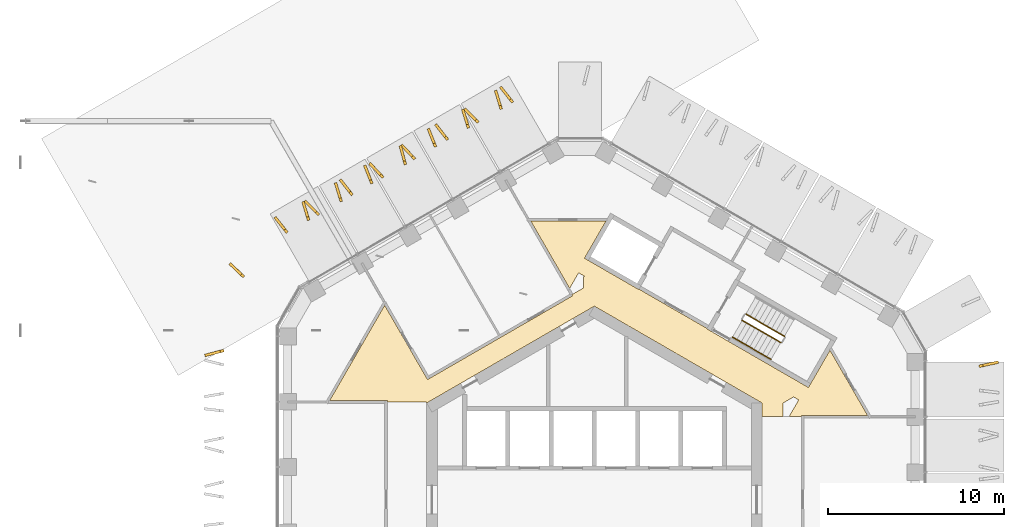
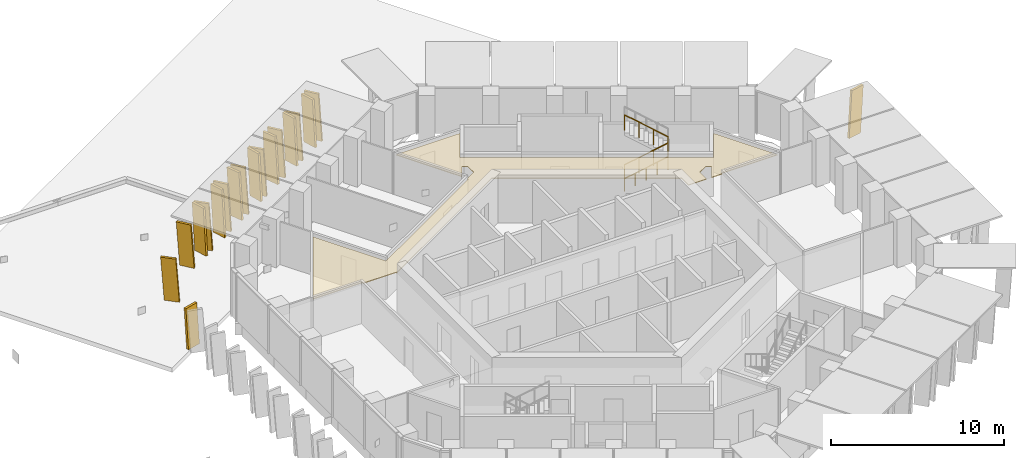
# One storey, part 22 of 23: 18 shading devices, 4 railings, 1 covering.
"""IFC4 building model written with IfcOpenShell, lengths in metres."""

from ifc_helpers import new_model, si_unit, direction, frame, origin, origin_2d, place, context, subcontext, project, spatial, polyline, circle, outline, extrude, material, layer, layer_set, type_object, element, save


model = new_model("IFC4")

# Units and contexts
model_context = context("Model", 3, precision=1e-05, world=origin(), true_north=direction((0.0, 1.0)))
body_context = subcontext(model_context, "Body", "Model", "MODEL_VIEW")
ifc_project = project(units=[si_unit("LENGTHUNIT", "METRE"), si_unit("AREAUNIT", "SQUARE_METRE"), si_unit("VOLUMEUNIT", "CUBIC_METRE"), si_unit("PLANEANGLEUNIT", "RADIAN"), si_unit("MASSUNIT", "GRAM", prefix="KILO")], contexts=[model_context])

# Site, building, storey
site_placement = place(None, origin())
site = spatial("IfcSite", under=ifc_project, at=site_placement, CompositionType="ELEMENT")
building_placement = place(site_placement, origin())
building = spatial("IfcBuilding", under=site, at=building_placement, Name="Ayvan Gate Tower", CompositionType="ELEMENT")
storey_placement = place(building_placement, frame((0.0, 0.0, 198.699951171875)))
storey = spatial("IfcBuildingStorey", under=building, at=storey_placement, Name="L53", CompositionType="ELEMENT", Elevation=198.699951171875)

# Shading devices
ifc_material_1 = material(Name="Bronze anodised aluminium", Category="aluminium")
ifc_layer_1 = layer(ifc_material_1, 0.14990234375)
ifc_layer_set_1 = layer_set([ifc_layer_1], Name="Bronze anodised aluminium")
shading_device_type = type_object("IfcShadingDeviceType", Name="Bronze fin 900 x 150", PredefinedType="USERDEFINED", material=ifc_layer_set_1)
shading_device_1_placement = place(storey_placement, frame((-4.56689453125, 22.564453125, 0.0), z_axis=(0.784507567898, 0.620119052633, 0.000486283794), x_axis=(-0.620119125954, 0.784507660655, 0.0)))
element("IfcShadingDevice", 1, at=shading_device_1_placement, inside=storey, type_object=shading_device_type, Name="Bronze fin FG19.1.1", ObjectType="FIN", PredefinedType="USERDEFINED", context=body_context, shape_type="SweptSolid", body=[
    extrude(outline(polyline([(0.0, 0.0), (0.8999971866563694, 0.0), (1.1141203897903091, 3.2800296846924963), (0.21412320313393968, 3.2800296846924963), (0.0, 0.0)])), origin(), (0.0, 0.0, -1.0), 0.14990234375),
])
shading_device_2_placement = place(storey_placement, frame((-5.201171875, 22.149658203125, 0.0), z_axis=(0.957564483495, 0.28821877159, 0.000446824592), x_axis=(-0.288218800387, 0.957564579077, 5.803e-08)))
element("IfcShadingDevice", 2, at=shading_device_2_placement, inside=storey, type_object=shading_device_type, Name="Bronze fin FG19.1.2", ObjectType="FIN", PredefinedType="USERDEFINED", context=body_context, shape_type="SweptSolid", body=[
    extrude(outline(polyline([(0.0, 0.0), (0.9000438351939035, 4.0657581468206416e-20), (1.1141064200078024, 3.2800295596561715), (0.21413295073196212, 3.2800296641109266), (0.0, 0.0)])), origin(), (0.0, 0.0, -1.0), 0.14990234375),
])
shading_device_3_placement = place(storey_placement, frame((-6.51416015625, 21.426513671875, 0.0), z_axis=(0.707174520151, 0.707038890209, 0.000453630924), x_axis=(-0.707038962942, 0.707174592927, -4.3514e-08)))
element("IfcShadingDevice", 3, at=shading_device_3_placement, inside=storey, type_object=shading_device_type, Name="Bronze fin FG19.1.3", ObjectType="FIN", PredefinedType="USERDEFINED", context=body_context, shape_type="SweptSolid", body=[
    extrude(outline(polyline([(0.0, 0.0), (0.8999384036104335, -2.710505431213761e-20), (1.1141762738435197, 3.28002968284093), (0.21406525329877404, 3.2800296045140183), (0.0, 0.0)])), origin(), (0.0, 0.0, -1.0), 0.14990234375),
])
shading_device_4_placement = place(storey_placement, frame((-7.056396484375, 21.080322265625, 0.0), z_axis=(0.95595467753, 0.293513893612, 0.000498764862), x_axis=(-0.29351393012, 0.955954796434, 0.0)))
element("IfcShadingDevice", 4, at=shading_device_4_placement, inside=storey, type_object=shading_device_type, Name="Bronze fin FG19.1.4", ObjectType="FIN", PredefinedType="USERDEFINED", context=body_context, shape_type="SweptSolid", body=[
    extrude(outline(polyline([(0.0, 0.0), (0.8999918884335657, 0.0), (1.1142550334938892, 3.2800297048555955), (0.2142631450603236, 3.2800297048555955), (0.0, 0.0)])), origin(), (0.0, 0.0, -1.0), 0.14990234375),
])
shading_device_5_placement = place(storey_placement, frame((-8.248046875, 20.439453125, 0.0), z_axis=(0.787728105905, 0.616022909267, 0.000454341574), x_axis=(-0.616022972848, 0.787728187209, 0.0)))
element("IfcShadingDevice", 5, at=shading_device_5_placement, inside=storey, type_object=shading_device_type, Name="Bronze fin FG19.1.5", ObjectType="FIN", PredefinedType="USERDEFINED", context=body_context, shape_type="SweptSolid", body=[
    extrude(outline(polyline([(0.0, 0.0), (0.9000368229962461, 5.421010862427522e-20), (1.1141241728045264, 3.280029635417153), (0.21408734980828031, 3.280029635417153), (0.0, 0.0)])), origin(), (0.0, 0.0, -1.0), 0.14990234375),
])
shading_device_6_placement = place(storey_placement, frame((-8.9248046875, 20.02294921875, 0.0), z_axis=(0.929937959795, 0.367716133169, 0.000486148383), x_axis=(-0.367716176649, 0.929938069675, 6.1317e-08)))
element("IfcShadingDevice", 6, at=shading_device_6_placement, inside=storey, type_object=shading_device_type, Name="Bronze fin FG19.1.6", ObjectType="FIN", PredefinedType="USERDEFINED", context=body_context, shape_type="SweptSolid", body=[
    extrude(outline(polyline([(0.0, 0.0), (0.9000124117142394, 2.710505431213761e-20), (1.114038627629046, 3.280029616166486), (0.2141159903719963, 3.280029726534001), (0.0, 0.0)])), origin(), (0.0, 0.0, -1.0), 0.14990234375),
])
shading_device_7_placement = place(storey_placement, frame((-10.114013671875, 19.353271484375, 0.0), z_axis=(0.729067431821, 0.684441722971, 0.000455755959), x_axis=(-0.684441794069, 0.729067507527, 4.2316e-08)))
element("IfcShadingDevice", 7, at=shading_device_7_placement, inside=storey, type_object=shading_device_type, Name="Bronze fin FG19.1.7", ObjectType="FIN", PredefinedType="USERDEFINED", context=body_context, shape_type="SweptSolid", body=[
    extrude(outline(polyline([(0.0, 0.0), (0.899865976357688, 2.710505431213761e-20), (1.1141664618825216, 3.2800295903815417), (0.21412249052787863, 3.2800296665459157), (0.0, 0.0)])), origin(), (0.0, 0.0, -1.0), 0.14990234375),
])
shading_device_8_placement = place(storey_placement, frame((-10.63134765625, 19.004638671875, 0.0), z_axis=(0.965937054457, 0.25877673405, 0.000456882522), x_axis=(-0.258776761059, 0.965937155273, 0.0)))
element("IfcShadingDevice", 8, at=shading_device_8_placement, inside=storey, type_object=shading_device_type, Name="Bronze fin FG19.1.8", ObjectType="FIN", PredefinedType="USERDEFINED", context=body_context, shape_type="SweptSolid", body=[
    extrude(outline(polyline([(0.0, 0.0), (0.9000427831971298, 0.0), (1.1142707662750664, 3.280029639214399), (0.21422798307793675, 3.280029639214399), (0.0, 0.0)])), origin(), (0.0, 0.0, -1.0), 0.14990234375),
])
shading_device_9_placement = place(storey_placement, frame((-11.917236328125, 18.312255859375, 0.0), z_axis=(0.729067448779, 0.684441738891, 0.000401489691), x_axis=(-0.684441794066, 0.72906750753, 3.7277e-08)))
element("IfcShadingDevice", 9, at=shading_device_9_placement, inside=storey, type_object=shading_device_type, Name="Bronze fin FG19.1.9", ObjectType="FIN", PredefinedType="USERDEFINED", context=body_context, shape_type="SweptSolid", body=[
    extrude(outline(polyline([(0.0, 0.0), (0.8998659763576876, 2.710505431213761e-20), (1.1139993453088102, 3.2800295197087466), (0.21395537395416694, 3.280029586804328), (0.0, 0.0)])), origin(), (0.0, 0.0, -1.0), 0.14990234375),
])
shading_device_10_placement = place(storey_placement, frame((-12.53076171875, 17.94091796875, 0.0), z_axis=(0.929891602113, 0.367833434208, 0.000415930781), x_axis=(-0.367833466025, 0.929891682548, 0.0)))
element("IfcShadingDevice", 10, at=shading_device_10_placement, inside=storey, type_object=shading_device_type, Name="Bronze fin FG19.1.10", ObjectType="FIN", PredefinedType="USERDEFINED", context=body_context, shape_type="SweptSolid", body=[
    extrude(outline(polyline([(0.0, 0.0), (0.9000124188731935, 0.0), (1.1142656431042266, 3.280029580594972), (0.21425322423103305, 3.280029580594972), (0.0, 0.0)])), origin(), (0.0, 0.0, -1.0), 0.14990234375),
])
shading_device_11_placement = place(storey_placement, frame((-13.656494140625, 17.31689453125, 0.0), z_axis=(0.787859734279, 0.615854544357, 0.000468290525), x_axis=(-0.615854611885, 0.787859820666, 0.0)))
element("IfcShadingDevice", 11, at=shading_device_11_placement, inside=storey, type_object=shading_device_type, Name="Bronze fin FG19.1.11", ObjectType="FIN", PredefinedType="USERDEFINED", context=body_context, shape_type="SweptSolid", body=[
    extrude(outline(polyline([(0.0, 0.0), (0.899886447312799, 0.0), (1.113973473747104, 3.2800296565237383), (0.21408702643430502, 3.2800296565237383), (0.0, 0.0)])), origin(), (0.0, 0.0, -1.0), 0.14990234375),
])
shading_device_12_placement = place(storey_placement, frame((-14.267333984375, 16.917236328125, 0.0), z_axis=(0.955954699877, 0.293513900473, 0.00044945778), x_axis=(-0.29351393012, 0.955954796434, 0.0)))
element("IfcShadingDevice", 12, at=shading_device_12_placement, inside=storey, type_object=shading_device_type, Name="Bronze fin FG19.1.12", ObjectType="FIN", PredefinedType="USERDEFINED", context=body_context, shape_type="SweptSolid", body=[
    extrude(outline(polyline([(0.0, 0.0), (0.8999918884335657, 1.3552527156068805e-20), (1.1139499874180705, 3.2800296281781747), (0.21395809898450474, 3.2800296281781747), (0.0, 0.0)])), origin(), (0.0, 0.0, -1.0), 0.14990234375),
])
shading_device_13_placement = place(storey_placement, frame((-15.5595703125, 16.204345703125, 0.0), z_axis=(0.707174520151, 0.707038890209, 0.000453630924), x_axis=(-0.707038962942, 0.707174592927, -4.3514e-08)))
element("IfcShadingDevice", 13, at=shading_device_13_placement, inside=storey, type_object=shading_device_type, Name="Bronze fin FG19.1.13", ObjectType="FIN", PredefinedType="USERDEFINED", context=body_context, shape_type="SweptSolid", body=[
    extrude(outline(polyline([(0.0, 0.0), (0.8999384036104335, -2.710505431213761e-20), (1.1141762738435197, 3.28002968284093), (0.21406525329877404, 3.2800296045140183), (0.0, 0.0)])), origin(), (0.0, 0.0, -1.0), 0.14990234375),
])
shading_device_14_placement = place(storey_placement, frame((-16.11328125, 15.849853515625, 0.0), z_axis=(0.957564483495, 0.28821877159, 0.000446824592), x_axis=(-0.288218800337, 0.957564579092, -5.8034e-08)))
element("IfcShadingDevice", 14, at=shading_device_14_placement, inside=storey, type_object=shading_device_type, Name="Bronze fin FG19.1.14", ObjectType="FIN", PredefinedType="USERDEFINED", context=body_context, shape_type="SweptSolid", body=[
    extrude(outline(polyline([(0.0, 0.0), (0.8999734692758463, -1.3552527156068805e-20), (1.11410603931359, 3.280029688964087), (0.21406220411969257, 3.280029584501165), (0.0, 0.0)])), origin(), (0.0, 0.0, -1.0), 0.14990234375),
])
shading_device_15_placement = place(storey_placement, frame((-17.345458984375, 15.186767578125, 0.0), z_axis=(0.784507574804, 0.620119058092, 0.000467831645), x_axis=(-0.620119125954, 0.784507660655, 0.0)))
element("IfcShadingDevice", 15, at=shading_device_15_placement, inside=storey, type_object=shading_device_type, Name="Bronze fin FG19.1.15", ObjectType="FIN", PredefinedType="USERDEFINED", context=body_context, shape_type="SweptSolid", body=[
    extrude(outline(polyline([(0.0, 0.0), (0.8999971866563694, 0.0), (1.1139689935193244, 3.000000328299727), (0.21397180686295492, 3.000000328299727), (0.0, 0.0)])), origin(), (0.0, 0.0, -1.0), 0.14990234375),
])
shading_device_16_placement = place(storey_placement, frame((-19.8017578125, 12.678466796875, 0.0), z_axis=(0.690088468237, 0.72372485584, 0.000488923571), x_axis=(-0.723724942342, 0.690088550718, 0.0)))
element("IfcShadingDevice", 16, at=shading_device_16_placement, inside=storey, type_object=shading_device_type, Name="Bronze fin FG19.2.16", ObjectType="FIN", PredefinedType="USERDEFINED", context=body_context, shape_type="SweptSolid", body=[
    extrude(outline(polyline([(0.0, 0.0), (0.9000203660144157, 0.0), (1.1141813662922604, 3.0000003585694524), (0.21416100027784465, 3.0000003585694524), (0.0, 0.0)])), origin(), (0.0, 0.0, -1.0), 0.14990234375),
])
shading_device_17_placement = place(storey_placement, frame((-21.010498046875, 8.532958984375, 0.0), z_axis=(-0.256041619413, 0.966665605496, 0.000544315173), x_axis=(-0.966665748698, -0.256041657343, 0.0)))
element("IfcShadingDevice", 17, at=shading_device_17_placement, inside=storey, type_object=shading_device_type, Name="Bronze fin FG19.3.17", ObjectType="FIN", PredefinedType="USERDEFINED", context=body_context, shape_type="SweptSolid", body=[
    extrude(outline(polyline([(0.0, 0.0), (0.9001220832250882, -2.710505431213761e-20), (1.114219946077721, 3.00000044441861), (0.2140978628526329, 3.00000044441861), (0.0, 0.0)])), origin(), (0.0, 0.0, -1.0), 0.14990234375),
])
shading_device_18_placement = place(storey_placement, frame((21.819091796875, 7.488037109375, 0.0), z_axis=(0.213223550697, -0.977003330578, 0.000457677349), x_axis=(0.977003432905, 0.213223573023, -1.3235e-08)))
element("IfcShadingDevice", 18, at=shading_device_18_placement, inside=storey, type_object=shading_device_type, Name="Bronze fin FG19.9.79", ObjectType="FIN", PredefinedType="USERDEFINED", context=body_context, shape_type="SweptSolid", body=[
    extrude(outline(polyline([(0.0, 0.0), (0.9000879135054497, -1.3552527156068805e-20), (1.114074707186198, 3.2800296551511905), (0.214225319909485, 3.2800296313292496), (0.0, 0.0)])), origin(), (0.0, 0.0, -1.0), 0.14990234375),
])

# Covering
ifc_material_2 = material(Name="Plasterboard suspended ceiling")
ifc_layer_2 = layer(ifc_material_2, 0.050048828125)
ifc_layer_set_2 = layer_set([ifc_layer_2], Name="Plasterboard suspended ceiling")
covering_type = type_object("IfcCoveringType", Name="CT-SUSP-50", PredefinedType="CEILING", material=ifc_layer_set_2)
covering_placement = place(storey_placement, frame((0.0, 0.0, 2.699951171875)))
element("IfcCovering", 19, at=covering_placement, inside=storey, type_object=covering_type, Name="Ceiling Gallery L53", PredefinedType="CEILING", context=body_context, shape_type="SweptSolid", body=[
    extrude(outline(polyline([(-1.23828125, 11.5537109375), (-1.275634765625, 11.618896484375), (-0.60009765625, 12.0087890625), (-0.60009765625, 12.6552734375), (-0.53955078125, 12.6552734375), (-0.890380859375, 12.85791015625), (-1.3974609375, 11.9794921875), (-3.601806640625, 15.79736328125), (0.662353515625, 15.79736328125), (-0.55615234375, 13.686767578125), (-0.339599609375, 13.561767578125), (2.518310546875, 11.91162109375), (2.53076171875, 11.933349609375), (6.384521484375, 9.70849609375), (6.3720703125, 9.686767578125), (6.588623046875, 9.561767578125), (12.131103515625, 6.36181640625), (12.24609375, 6.56103515625), (13.349609375, 8.472412109375), (15.481689453125, 4.779541015625), (11.72509765625, 4.779541015625), (11.72509765625, 4.70458984375), (11.030029296875, 4.70458984375), (11.580322265625, 5.65771484375), (11.2294921875, 5.8603515625), (11.259765625, 5.80810546875), (10.699951171875, 5.48486328125), (10.699951171875, 4.70458984375), (9.5, 4.70458984375), (9.5, 5.48486328125), (0.0, 10.9697265625), (-9.5, 5.48486328125), (-9.5, 5.538818359375), (-11.72509765625, 5.538818359375), (-11.72509765625, 5.614013671875), (-15.0, 5.614013671875), (-11.8798828125, 11.017822265625), (-9.45166015625, 6.811767578125), (-9.32177734375, 6.88671875), (-1.23828125, 11.5537109375)])), origin(), (0.0, 0.0, 1.0), 0.050048828125),
])

# Railings
ifc_material_3 = material(Name="Stainless steel balustrade", Category="steel")
railing_type_1 = type_object("IfcRailingType", Name="RL-GUARD-1100", PredefinedType="GUARDRAIL", material=ifc_material_3)
railing_1_placement = place(storey_placement, frame((8.381103515625, 10.16650390625, 0.170166015625)))
element("IfcRailing", 20, at=railing_1_placement, inside=storey, type_object=railing_type_1, Name="L53 STS1 stair guard 1", PredefinedType="GUARDRAIL", context=body_context, shape_type="SweptSolid", body=[
    extrude(circle(Radius=0.02392578125, at=origin_2d()), frame((0.0, 0.0, 1.076171875), z_axis=(0.740292969978, -0.427413806696, 0.51892557891), x_axis=(0.500004791531, 0.866022637375, 0.0)), (0.0, 0.0, 1.0), 2.947998046875),
    extrude(circle(Radius=0.02099609375, at=origin_2d()), origin(), (0.0, 0.0, 1.0), 1.052001953125),
    extrude(circle(Radius=0.02099609375, at=origin_2d()), frame((0.7275390625, -0.419921875, 0.510009765625)), (0.0, 0.0, 1.0), 1.052001953125),
    extrude(circle(Radius=0.02099609375, at=origin_2d()), frame((1.454833984375, -0.840087890625, 1.019775390625)), (0.0, 0.0, 1.0), 1.052001953125),
    extrude(circle(Radius=0.02099609375, at=origin_2d()), frame((2.182373046875, -1.260009765625, 1.52978515625)), (0.0, 0.0, 1.0), 1.052001953125),
])
railing_2_placement = place(storey_placement, frame((10.7685546875, 9.261474609375, 1.8701171875)))
element("IfcRailing", 21, at=railing_2_placement, inside=storey, type_object=railing_type_1, Name="L53 STS1 stair guard 3", PredefinedType="GUARDRAIL", context=body_context, shape_type="SweptSolid", body=[
    extrude(circle(Radius=0.02392578125, at=origin_2d()), frame((0.0, 0.0, 1.076171875), z_axis=(-0.740261155115, 0.427395438142, 0.518986090067), x_axis=(-0.500004791531, -0.866022637375, 0.0)), (0.0, 0.0, 1.0), 2.947998046875),
    extrude(circle(Radius=0.02099609375, at=origin_2d()), origin(), (0.0, 0.0, 1.0), 1.052001953125),
    extrude(circle(Radius=0.02099609375, at=origin_2d()), frame((-0.7275390625, 0.419921875, 0.510009765625)), (0.0, 0.0, 1.0), 1.052001953125),
    extrude(circle(Radius=0.02099609375, at=origin_2d()), frame((-1.454833984375, 0.840087890625, 1.02001953125)), (0.0, 0.0, 1.0), 1.052001953125),
    extrude(circle(Radius=0.02099609375, at=origin_2d()), frame((-2.182373046875, 1.260009765625, 1.530029296875)), (0.0, 0.0, 1.0), 1.052001953125),
])
railing_type_2 = type_object("IfcRailingType", Name="RL-HANDRAIL-900", PredefinedType="HANDRAIL", material=ifc_material_3)
railing_3_placement = place(storey_placement, frame((7.8310546875, 9.2138671875, 0.170166015625)))
element("IfcRailing", 22, at=railing_3_placement, inside=storey, type_object=railing_type_2, Name="L53 STS1 stair handrail 1", PredefinedType="HANDRAIL", context=body_context, shape_type="SweptSolid", body=[
    extrude(circle(Radius=0.02392578125, at=origin_2d()), frame((0.0, 0.0, 0.8759765625), z_axis=(0.740356597536, -0.427319915356, 0.518912129772), x_axis=(0.499890179513, 0.866088799389, 0.0)), (0.0, 0.0, 1.0), 1.47412109375),
    extrude(circle(Radius=0.02099609375, at=origin_2d()), origin(), (0.0, 0.0, 1.0), 0.851806640625),
    extrude(circle(Radius=0.02099609375, at=origin_2d()), frame((0.545654296875, -0.31494140625, 0.38232421875)), (0.0, 0.0, 1.0), 0.851806640625),
    extrude(circle(Radius=0.02099609375, at=origin_2d()), frame((1.09130859375, -0.6298828125, 0.764892578125)), (0.0, 0.0, 1.0), 0.851806640625),
])
railing_4_placement = place(storey_placement, frame((8.92236328125, 8.583984375, 0.93505859375)))
element("IfcRailing", 23, at=railing_4_placement, inside=storey, type_object=railing_type_2, Name="L53 STS1 stair handrail 2", PredefinedType="HANDRAIL", context=body_context, shape_type="SweptSolid", body=[
    extrude(circle(Radius=0.02392578125, at=origin_2d()), frame((0.0, 0.0, 0.8759765625), z_axis=(0.740229329464, -0.427507697325, 0.518939021976), x_axis=(0.50011940292, 0.865956455501, 0.0)), (0.0, 0.0, 1.0), 1.473876953125),
    extrude(circle(Radius=0.02099609375, at=origin_2d()), origin(), (0.0, 0.0, 1.0), 0.851806640625),
    extrude(circle(Radius=0.02099609375, at=origin_2d()), frame((0.54541015625, -0.31494140625, 0.38232421875)), (0.0, 0.0, 1.0), 0.851806640625),
    extrude(circle(Radius=0.02099609375, at=origin_2d()), frame((1.091064453125, -0.630126953125, 0.764892578125)), (0.0, 0.0, 1.0), 0.851806640625),
])

save(model, "model.ifc")
